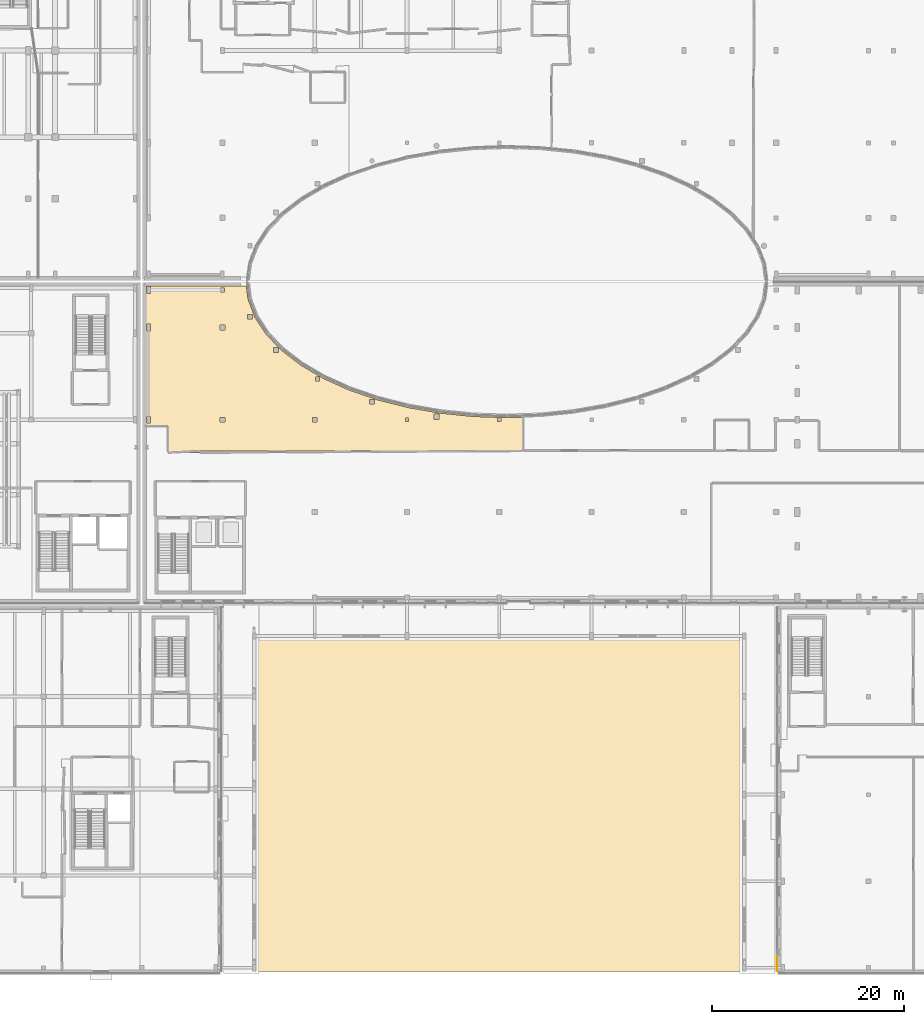
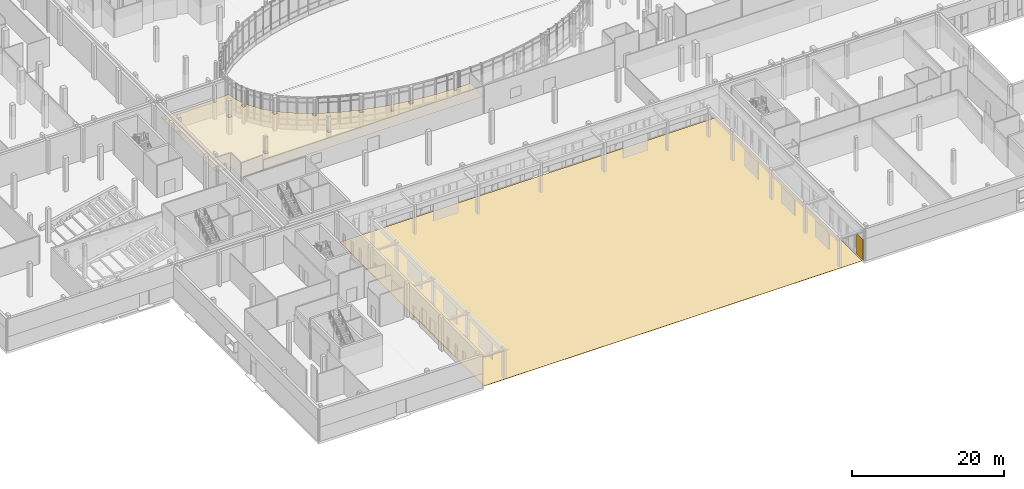
# One storey, part 61 of 84: 3 coverings.
"""IFC4 building model written with IfcOpenShell, lengths in metres."""

from ifc_helpers import new_model, si_unit, direction, frame, origin, origin_2d, place, context, subcontext, project, spatial, polyline, rectangle, outline, extrude, material, layer, layer_set, type_object, element, save


model = new_model("IFC4")

# Units and contexts
model_context = context("Model", 3, precision=1e-05, world=origin(), true_north=direction((0.0, 1.0)))
body_context = subcontext(model_context, "Body", "Model", "MODEL_VIEW")
ifc_project = project(units=[si_unit("LENGTHUNIT", "METRE"), si_unit("AREAUNIT", "SQUARE_METRE"), si_unit("VOLUMEUNIT", "CUBIC_METRE"), si_unit("PLANEANGLEUNIT", "RADIAN"), si_unit("MASSUNIT", "GRAM", prefix="KILO")], contexts=[model_context])

# Site, building, storey
site_placement = place(None, origin())
site = spatial("IfcSite", under=ifc_project, at=site_placement, CompositionType="ELEMENT")
building_placement = place(site_placement, origin())
building = spatial("IfcBuilding", under=site, at=building_placement, Name="Mzevani Central Library", CompositionType="ELEMENT")
storey_placement = place(building_placement, origin())
storey = spatial("IfcBuildingStorey", under=building, at=storey_placement, Name="L00", CompositionType="ELEMENT", Elevation=0.0)

# Coverings
ifc_material_1 = material(Name="Limestone ashlar cladding", Category="masonry")
ifc_layer_1 = layer(ifc_material_1, 0.050048828125, Name="Limestone Ashlar Spandrel Cladding")
ifc_layer_set_1 = layer_set([ifc_layer_1], Name="Limestone ashlar cladding")
covering_type_1 = type_object("IfcCoveringType", Name="Limestone Ashlar Spandrel Cladding", PredefinedType="CLADDING", material=ifc_layer_set_1)
covering_1_placement = place(storey_placement, frame((112.075927734375, 5.06494140625, 0.0), z_axis=(0.0, 0.0, 1.0), x_axis=(0.0, 1.0, 0.0)))
element("IfcCovering", 1, at=covering_1_placement, inside=storey, type_object=covering_type_1, Name="L00 Warm-White Facade Pier 1 (EW4-V6-L00-0102)", PredefinedType="CLADDING", context=body_context, shape_type="SweptSolid", body=[
    extrude(rectangle(XDim=1.7099609375, YDim=0.050048828125, at=origin_2d()), origin(), (0.0, 0.0, 1.0), 3.35009765625),
])
ifc_material_2 = material(Name="Mineral wool acoustic ceiling")
ifc_layer_2 = layer(ifc_material_2, 0.0400390625, Name="Perforated Timber Acoustic Ceiling")
ifc_layer_set_2 = layer_set([ifc_layer_2], Name="Mineral wool acoustic ceiling")
covering_type_2 = type_object("IfcCoveringType", Name="Perforated Timber Acoustic Ceiling", PredefinedType="CEILING", material=ifc_layer_set_2)
covering_2_placement = place(storey_placement, frame((0.0, 0.0, 2.72998046875)))
element("IfcCovering", 2, at=covering_2_placement, inside=storey, type_object=covering_type_2, Name="L00 Reference Collection and Periodicals Room Acoustic Ceiling", PredefinedType="CEILING", context=body_context, shape_type="SweptSolid", body=[
    extrude(outline(polyline([(85.669921875, 61.865478515625), (85.660888671875, 58.3701171875), (52.110107421875, 58.3701171875), (52.10107421875, 58.18994140625), (48.7470703125, 58.1904296875), (48.739990234375, 60.93994140625), (46.469970703125, 60.948974609375), (46.470458984375, 75.52294921875), (56.880859375, 75.529541015625), (57.06201171875, 74.151611328125), (57.7841796875, 72.255859375), (58.973388671875, 70.457763671875), (60.565185546875, 68.800537109375), (62.55126953125, 67.272216796875), (64.861572265625, 65.91455078125), (67.565185546875, 64.69189453125), (70.50927734375, 63.679443359375), (73.6806640625, 62.87451171875), (77.0263671875, 62.290283203125), (80.4638671875, 61.937744140625), (83.9873046875, 61.81787109375), (85.669921875, 61.865478515625)]), holes=[polyline([(46.574951171875, 61.949951171875), (46.574951171875, 61.25), (46.925048828125, 61.25), (46.925048828125, 61.949951171875), (46.574951171875, 61.949951171875)]), polyline([(46.925048828125, 71.550048828125), (46.574951171875, 71.550048828125), (46.574951171875, 70.85009765625), (46.925048828125, 70.85009765625), (46.925048828125, 71.550048828125)]), polyline([(46.925048828125, 74.75), (46.925048828125, 75.449951171875), (46.574951171875, 75.449951171875), (46.574951171875, 74.75), (46.925048828125, 74.75)]), polyline([(54.14990234375, 61.35009765625), (54.64990234375, 61.35009765625), (54.64990234375, 61.85009765625), (54.14990234375, 61.85009765625), (54.14990234375, 61.35009765625)]), polyline([(54.125, 71.47509765625), (54.125, 70.925048828125), (54.675048828125, 70.925048828125), (54.675048828125, 71.47509765625), (54.125, 71.47509765625)]), polyline([(54.60009765625, 75.300048828125), (54.199951171875, 75.300048828125), (54.199951171875, 74.89990234375), (54.60009765625, 74.89990234375), (54.60009765625, 75.300048828125)]), polyline([(64.22509765625, 61.375), (64.22509765625, 61.824951171875), (63.77490234375, 61.824951171875), (63.77490234375, 61.375), (64.22509765625, 61.375)]), polyline([(73.425048828125, 61.425048828125), (73.77490234375, 61.425048828125), (73.77490234375, 61.77490234375), (73.425048828125, 61.77490234375), (73.425048828125, 61.425048828125)]), polyline([(83.02490234375, 61.77490234375), (83.02490234375, 61.425048828125), (83.375, 61.425048828125), (83.375, 61.77490234375), (83.02490234375, 61.77490234375)]), polyline([(57.52099609375, 72.55908203125), (57.02099609375, 72.55908203125), (57.02099609375, 72.05908203125), (57.52099609375, 72.05908203125), (57.52099609375, 72.55908203125)]), polyline([(60.2509765625, 68.575927734375), (60.2509765625, 69.1259765625), (59.700927734375, 69.1259765625), (59.700927734375, 68.575927734375), (60.2509765625, 68.575927734375)]), polyline([(64.069091796875, 65.618896484375), (64.51904296875, 65.618896484375), (64.51904296875, 66.069091796875), (64.069091796875, 66.069091796875), (64.069091796875, 65.618896484375)]), polyline([(69.716064453125, 63.721923828125), (69.716064453125, 63.221923828125), (70.216064453125, 63.221923828125), (70.216064453125, 63.721923828125), (69.716064453125, 63.721923828125)]), polyline([(76.947021484375, 62.178955078125), (76.39697265625, 62.178955078125), (76.39697265625, 61.62890625), (76.947021484375, 61.62890625), (76.947021484375, 62.178955078125)])]), origin(), (0.0, 0.0, 1.0), 0.0400390625),
])
ifc_material_3 = material(Name="Terrazzo stone flooring", Category="masonry")
ifc_layer_3 = layer(ifc_material_3, 0.030029296875, Name="Terrazzo Stone Floor Finish")
ifc_layer_set_3 = layer_set([ifc_layer_3], Name="Terrazzo stone flooring")
covering_type_3 = type_object("IfcCoveringType", Name="Terrazzo Stone Floor Finish", PredefinedType="FLOORING", material=ifc_layer_set_3)
covering_3_placement = place(storey_placement, frame((0.0, 0.0, -0.0400390625)))
element("IfcCovering", 3, at=covering_3_placement, inside=storey, type_object=covering_type_3, Name="L00 Mzevani Civic Square Forecourt Paving", PredefinedType="FLOORING", context=body_context, shape_type="SweptSolid", body=[
    extrude(outline(polyline([(54.5, 4.199951171875), (111.89990234375, 4.199951171875), (111.89990234375, 42.300048828125), (54.5, 42.300048828125), (54.5, 4.199951171875)])), origin(), (0.0, 0.0, 1.0), 0.0400390625),
])

save(model, "model.ifc")
